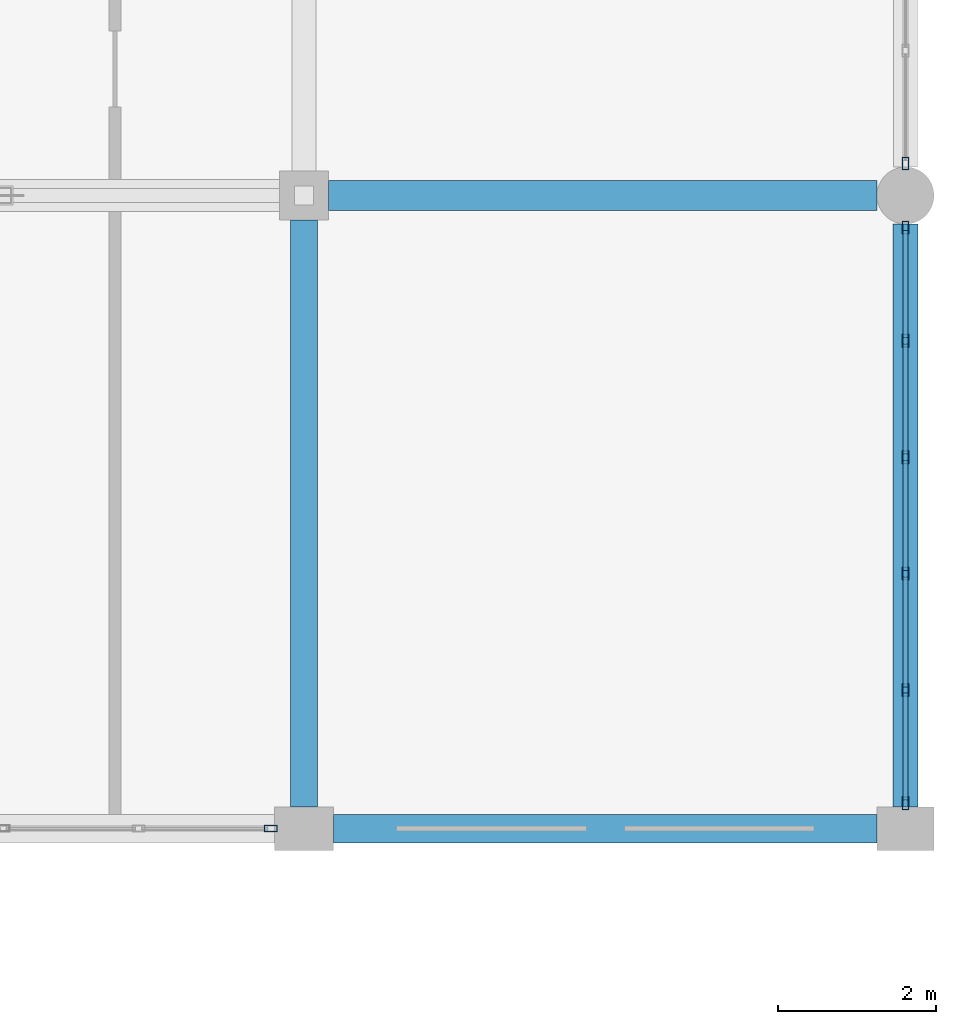
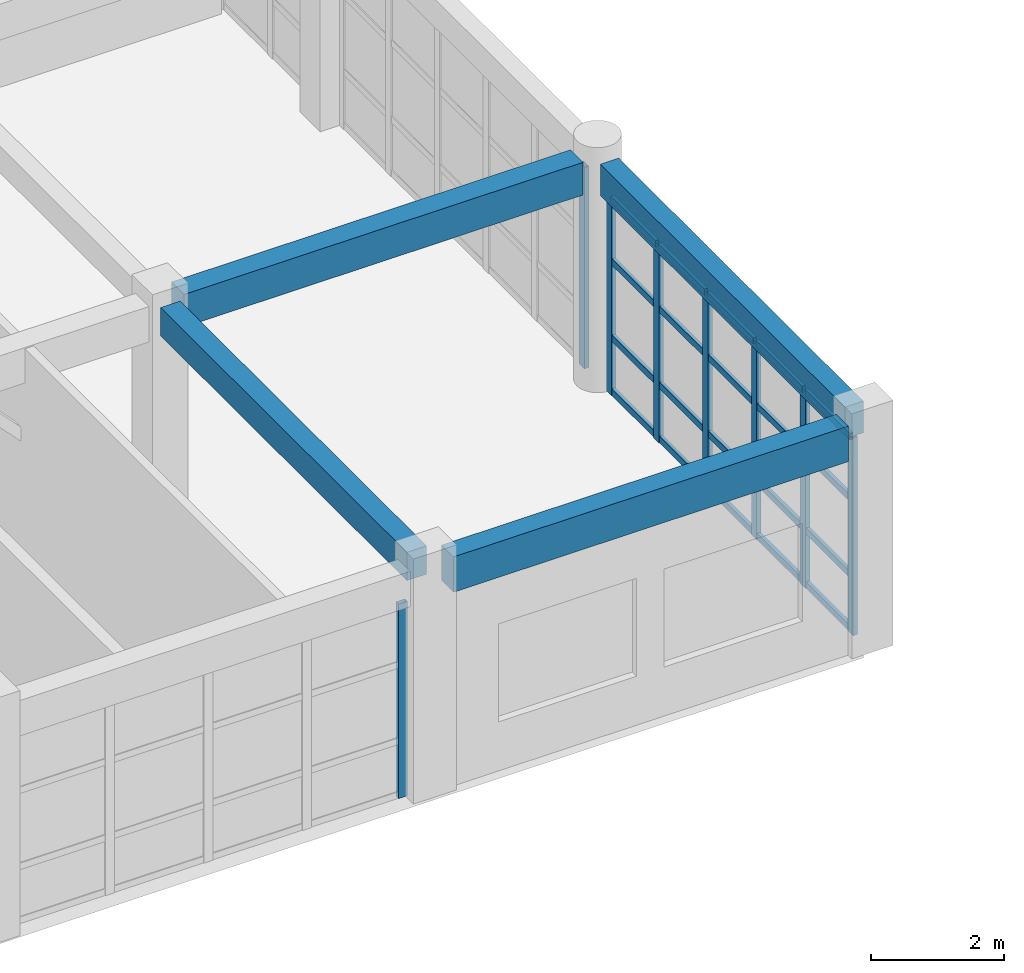
# One storey, part 94 of 160: 28 members, 4 beams, 3 elements without a shape of their own.
"""IFC4 building model written with IfcOpenShell, lengths in metres."""

import ifcopenshell
import ifcopenshell.guid

model = None  # the IFC model being written
_history = None  # IfcOwnerHistory: only IFC2X3 demands one
_inside = {}  # id of a spatial element -> (the spatial element, [elements in it])
_under = {}  # id of a project, library or spatial element -> (it, [spatial elements below it])
_declared = {}  # id of a project -> (the project, [libraries it declares])
_typed = {}  # id of a type object -> (the type object, [elements of that type])
_made_of = {}  # id of a material, layer set ... -> (it, [elements and type objects made of it])


def new_model(schema):
    """Start an empty IFC model of exactly this schema.

    Asked for "IFC4X3", IfcOpenShell would pick the latest addendum, in which some entities
    have other attributes; the version numbers below select the first issue.
    IFC2X3 requires an IfcOwnerHistory on every rooted entity: one is made here for all.
    """
    global model, _history
    if schema == "IFC4X3":
        model = ifcopenshell.file(schema_version=(4, 3, 0, 0))
    else:
        model = ifcopenshell.file(schema=schema)
    _inside.clear()
    _under.clear()
    _declared.clear()
    _typed.clear()
    _made_of.clear()
    _history = None
    if model.schema == "IFC2X3":
        org = make("IfcOrganization", Name="unknown")
        user = make(
            "IfcPersonAndOrganization",
            ThePerson=make("IfcPerson", FamilyName="unknown"),
            TheOrganization=org,
        )
        app = make(
            "IfcApplication",
            ApplicationDeveloper=org,
            Version="unknown",
            ApplicationFullName="unknown",
            ApplicationIdentifier="unknown",
        )
        _history = make(
            "IfcOwnerHistory",
            OwningUser=user,
            OwningApplication=app,
            ChangeAction="ADDED",
            CreationDate=0,
        )
    return model


def make(cls, **values):
    """One entity of the class cls with the attributes given. An attribute that is None is left unset."""
    return model.create_entity(
        cls, **{name: value for name, value in values.items() if value is not None}
    )


def rooted(cls, **values):
    """An entity with a GlobalId (a new one), such as an element, a storey or a relation."""
    return make(cls, GlobalId=ifcopenshell.guid.new(), OwnerHistory=_history, **values)


def si_unit(unit_type, name, prefix=None):
    """IfcSIUnit, for example si_unit("LENGTHUNIT", "METRE", prefix="MILLI")."""
    return make("IfcSIUnit", UnitType=unit_type, Prefix=prefix, Name=name)


def assignment(units):
    """IfcUnitAssignment: the units of a project."""
    return None if units is None else make("IfcUnitAssignment", Units=units)


def point(xyz):
    """IfcCartesianPoint."""
    return None if xyz is None else make("IfcCartesianPoint", Coordinates=xyz)


def direction(xyz):
    """IfcDirection."""
    return None if xyz is None else make("IfcDirection", DirectionRatios=xyz)


def frame(location, z_axis=None, x_axis=None):
    """IfcAxis2Placement3D, a coordinate frame: its origin and axes. An axis left out is left unset."""
    return make(
        "IfcAxis2Placement3D",
        Location=point(location),
        Axis=direction(z_axis),
        RefDirection=direction(x_axis),
    )


def frame_2d(location, x_axis=None):
    """IfcAxis2Placement2D, a coordinate frame in the plane: its origin and x axis."""
    return make(
        "IfcAxis2Placement2D", Location=point(location), RefDirection=direction(x_axis)
    )


def origin():
    """The frame at (0, 0, 0) with its axes left unset."""
    return frame((0.0, 0.0, 0.0))


def origin_2d():
    """The frame at (0, 0) in the plane with its x axis left unset."""
    return frame_2d((0.0, 0.0))


def place(relative_to, where):
    """IfcLocalPlacement: puts the frame where relative to a parent placement (None: the world)."""
    return make(
        "IfcLocalPlacement", PlacementRelTo=relative_to, RelativePlacement=where
    )


def context(
    kind, dimensions, precision=None, world=None, true_north=None, identifier=None
):
    """IfcGeometricRepresentationContext, for example the 3D "Model" context."""
    return make(
        "IfcGeometricRepresentationContext",
        ContextIdentifier=identifier,
        ContextType=kind,
        CoordinateSpaceDimension=dimensions,
        Precision=precision,
        WorldCoordinateSystem=world,
        TrueNorth=true_north,
    )


def subcontext(parent, identifier, kind, view, scale=None):
    """IfcGeometricRepresentationSubContext, for example "Body" below "Model"."""
    return make(
        "IfcGeometricRepresentationSubContext",
        ContextIdentifier=identifier,
        ContextType=kind,
        ParentContext=parent,
        TargetScale=scale,
        TargetView=view,
    )


def project(units=None, contexts=None):
    """IfcProject with its units and contexts."""
    return rooted(
        "IfcProject",
        Name="project",
        RepresentationContexts=contexts,
        UnitsInContext=assignment(units),
    )


def spatial(cls, under=None, at=None, **own):
    """A site, building, storey or space (cls), placed at a placement, below another one or the project."""
    s = rooted(cls, ObjectPlacement=at, **own)
    if under is not None:
        _under.setdefault(under.id(), (under, []))[1].append(s)
    return s


def profile(cls, at=None, kind="AREA", **sizes):
    """A parametric profile (cls). Its sizes go by their IFC names, for example OverallWidth=200.0."""
    return make(cls, ProfileType=kind, Position=at, **sizes)


def rectangle(**sizes):
    """IfcRectangleProfileDef."""
    return profile("IfcRectangleProfileDef", **sizes)


def hollow_rectangle(**sizes):
    """IfcRectangleHollowProfileDef."""
    return profile("IfcRectangleHollowProfileDef", **sizes)


def extrude(swept, where, along, depth):
    """IfcExtrudedAreaSolid: the profile swept, set in the frame where, extruded along a direction by depth."""
    return make(
        "IfcExtrudedAreaSolid",
        SweptArea=swept,
        Position=where,
        ExtrudedDirection=direction(along),
        Depth=depth,
    )


def shape(context_of_items, identifier, shape_type, items):
    """IfcShapeRepresentation: the items that make up one representation, for example the "Body"."""
    return make(
        "IfcShapeRepresentation",
        ContextOfItems=context_of_items,
        RepresentationIdentifier=identifier,
        RepresentationType=shape_type,
        Items=items,
    )


def material(Name=None, Category=None):
    """IfcMaterial."""
    return make("IfcMaterial", Name=Name, Category=Category)


def material_profile(
    of_material, cross_section, Name=None, Category=None, Priority=None
):
    """IfcMaterialProfile: a cross section and its material."""
    return make(
        "IfcMaterialProfile",
        Name=Name,
        Material=of_material,
        Profile=cross_section,
        Priority=Priority,
        Category=Category,
    )


def profile_set(profiles, Name=None, composite=None):
    """IfcMaterialProfileSet."""
    return make(
        "IfcMaterialProfileSet",
        Name=Name,
        MaterialProfiles=profiles,
        CompositeProfile=composite,
    )


def made_of(thing, what):
    """Note that an element or type object is made of a material, layer set ...; save() writes the relation."""
    if what is not None:
        _made_of.setdefault(what.id(), (what, []))[1].append(thing)
    return thing


def type_object(cls, material=None, **own):
    """A type object (cls), such as IfcWallType, which elements share."""
    return made_of(rooted(cls, **own), material)


def element(
    cls,
    number,
    at=None,
    inside=None,
    cuts=None,
    type_object=None,
    material=None,
    context=None,
    identifier="Body",
    shape_type=None,
    held_by="IfcProductDefinitionShape",
    body=None,
    shapes=None,
    **own,
):
    """One element of the class cls, such as IfcWall. Its Tag is "e" and its number.

    at: its placement. inside: the storey or other place that contains it. cuts: it is an
    opening in that element (IfcRelVoidsElement). A single representation is given by context,
    identifier, shape_type and body (its items); several are given by shapes. held_by: the class
    of the entity that holds the representations. save() writes the other relations.
    """
    e = rooted(cls, Tag="e%d" % number, ObjectPlacement=at, **own)
    if body is not None:
        shapes = [shape(context, identifier, shape_type, body)]
    if shapes is not None:
        e.Representation = make(held_by, Representations=shapes)
    if inside is not None:
        _inside.setdefault(inside.id(), (inside, []))[1].append(e)
    if cuts is not None:
        rooted(
            "IfcRelVoidsElement", RelatingBuildingElement=cuts, RelatedOpeningElement=e
        )
    if type_object is not None:
        _typed.setdefault(type_object.id(), (type_object, []))[1].append(e)
    return made_of(e, material)


def aggregate(whole, parts):
    """IfcRelAggregates: a whole, such as a stair, and the parts it consists of."""
    return rooted("IfcRelAggregates", RelatingObject=whole, RelatedObjects=parts)


def save(model, path):
    """Write the relations noted so far, then the file.

    IfcRelAggregates (storeys below a building ...), IfcRelContainedInSpatialStructure (elements
    in a storey), IfcRelDefinesByType, IfcRelAssociatesMaterial and IfcRelDeclares: one each for
    every whole, place, type object, material and project.
    """
    for whole, parts in _under.values():
        aggregate(whole, parts)
    for where, things in _inside.values():
        rooted(
            "IfcRelContainedInSpatialStructure",
            RelatedElements=things,
            RelatingStructure=where,
        )
    for kind, things in _typed.values():
        rooted("IfcRelDefinesByType", RelatedObjects=things, RelatingType=kind)
    for what, things in _made_of.values():
        rooted("IfcRelAssociatesMaterial", RelatedObjects=things, RelatingMaterial=what)
    for by, libraries in _declared.values():
        rooted("IfcRelDeclares", RelatingContext=by, RelatedDefinitions=libraries)
    model.write(path)


model = new_model("IFC4")

# Units and contexts
model_context = context("Model", 3, precision=1e-05, world=origin(), true_north=direction((0.0, 1.0)))
body_context = subcontext(model_context, "Body", "Model", "MODEL_VIEW")
ifc_project = project(units=[si_unit("LENGTHUNIT", "METRE"), si_unit("AREAUNIT", "SQUARE_METRE"), si_unit("VOLUMEUNIT", "CUBIC_METRE"), si_unit("PLANEANGLEUNIT", "RADIAN"), si_unit("MASSUNIT", "GRAM", prefix="KILO")], contexts=[model_context])

# Site, building, storey
site_placement = place(None, origin())
site = spatial("IfcSite", under=ifc_project, at=site_placement, CompositionType="ELEMENT")
building_placement = place(site_placement, origin())
building = spatial("IfcBuilding", under=site, at=building_placement, Name="Kharva Crest Polytechnic", CompositionType="ELEMENT")
storey_placement = place(building_placement, frame((0.0, 0.0, 4.5)))
storey = spatial("IfcBuildingStorey", under=building, at=storey_placement, Name="L01", CompositionType="ELEMENT", Elevation=4.5)

# Beams
ifc_material_1 = material(Name="Concrete C35/45", Category="concrete")
ifc_material_profile_1 = material_profile(ifc_material_1, rectangle(XDim=0.340087890625, YDim=0.52001953125, at=origin_2d()), Name="RECT 340 X 520")
ifc_profile_set_1 = profile_set([ifc_material_profile_1], Name="Concrete C35/45")
beam_type_1 = type_object("IfcBeamType", Name="BM-RC-340X520", PredefinedType="BEAM", material=ifc_profile_set_1)
beam_1_placement = place(storey_placement, frame((176.39990234375, 39.074951171875, 3.9599609375), z_axis=(0.0, 1.0, 0.0), x_axis=(-1.0, 0.0, 0.0)))
element("IfcBeam", 1, at=beam_1_placement, inside=storey, type_object=beam_type_1, Name="L01 Girder 23/FJ-G", PredefinedType="BEAM", context=body_context, shape_type="SweptSolid", body=[
    extrude(rectangle(XDim=0.340087890625, YDim=0.52001953125, at=origin_2d()), origin(), (0.0, 0.0, 1.0), 7.4150390625),
])
ifc_material_profile_2 = material_profile(ifc_material_1, rectangle(XDim=0.3798828125, YDim=0.60009765625, at=origin_2d()), Name="RECT 380 X 600")
ifc_profile_set_2 = profile_set([ifc_material_profile_2], Name="Concrete C35/45")
beam_type_2 = type_object("IfcBeamType", Name="BM-RC-380X600", PredefinedType="BEAM", material=ifc_profile_set_2)
beam_2_placement = place(storey_placement, frame((176.7099609375, 46.800048828125, 3.919921875), z_axis=(1.0, 0.0, 0.0), x_axis=(0.0, 1.0, 0.0)))
element("IfcBeam", 2, at=beam_2_placement, inside=storey, type_object=beam_type_2, Name="L01 Beam G/23-24", PredefinedType="BEAM", context=body_context, shape_type="SweptSolid", body=[
    extrude(rectangle(XDim=0.3798828125, YDim=0.60009765625, at=origin_2d()), origin(), (0.0, 0.0, 1.0), 6.929931640625),
])

# Curtain wall, member
ifc_material_2 = material(Name="Tempered insulated glass", Category="glass")
curtain_wall_type = type_object("IfcCurtainWallType", Name="CW-SYS-COURT", PredefinedType="USERDEFINED", material=ifc_material_2)
curtain_wall_1_placement = place(storey_placement, origin())
curtain_wall_1 = element("IfcCurtainWall", 3, at=curtain_wall_1_placement, inside=storey, type_object=curtain_wall_type, Name="L01 Glazed Curtain Wall CW-057", ObjectType="CURTAIN WALL", PredefinedType="USERDEFINED")
ifc_material_3 = material(Name="Steel S355", Category="steel")
ifc_material_profile_3 = material_profile(ifc_material_3, hollow_rectangle(XDim=0.080078125, YDim=0.159912109375, WallThickness=0.0048828125, at=origin_2d()), Name="RHS 160X80X5.0")
ifc_profile_set_3 = profile_set([ifc_material_profile_3], Name="Steel S355")
member_type_1 = type_object("IfcMemberType", Name="CWM-RHS160X80", PredefinedType="MULLION", material=ifc_profile_set_3)
member_1_placement = place(storey_placement, frame((175.97998046875, 38.800048828125, 0.0), z_axis=(0.0, 0.0, 1.0), x_axis=(0.0, 1.0, 0.0)))
member_1 = element("IfcMember", 4, at=member_1_placement, type_object=member_type_1, Name="CW-057 mullion 5", PredefinedType="MULLION", context=body_context, shape_type="SweptSolid", body=[
    extrude(hollow_rectangle(XDim=0.080078125, YDim=0.159912109375, WallThickness=0.0048828125, at=origin_2d()), origin(), (0.0, 0.0, 1.0), 3.570068359375),
])
aggregate(curtain_wall_1, [member_1])

# Curtain wall, members
curtain_wall_2_placement = place(storey_placement, origin())
curtain_wall_2 = element("IfcCurtainWall", 5, at=curtain_wall_2_placement, inside=storey, type_object=curtain_wall_type, Name="L01 Glazed Curtain Wall CW-058", ObjectType="CURTAIN WALL", PredefinedType="USERDEFINED")
member_2_placement = place(storey_placement, frame((184.0, 39.1201171875, 0.0), z_axis=(0.0, 0.0, 1.0), x_axis=(-1.0, 0.0, 0.0)))
member_2 = element("IfcMember", 6, at=member_2_placement, type_object=member_type_1, Name="CW-058 mullion 1", PredefinedType="MULLION", context=body_context, shape_type="SweptSolid", body=[
    extrude(hollow_rectangle(XDim=0.080078125, YDim=0.159912109375, WallThickness=0.0048828125, at=origin_2d()), origin(), (0.0, 0.0, 1.0), 3.639892578125),
])
member_3_placement = place(storey_placement, frame((184.0, 40.551025390625, 0.0), z_axis=(0.0, 0.0, 1.0), x_axis=(-1.0, 0.0, 0.0)))
member_3 = element("IfcMember", 7, at=member_3_placement, type_object=member_type_1, Name="CW-058 mullion 2", PredefinedType="MULLION", context=body_context, shape_type="SweptSolid", body=[
    extrude(hollow_rectangle(XDim=0.080078125, YDim=0.159912109375, WallThickness=0.0048828125, at=origin_2d()), origin(), (0.0, 0.0, 1.0), 3.639892578125),
])
member_4_placement = place(storey_placement, frame((184.0, 42.02197265625, 0.0), z_axis=(0.0, 0.0, 1.0), x_axis=(-1.0, 0.0, 0.0)))
member_4 = element("IfcMember", 8, at=member_4_placement, type_object=member_type_1, Name="CW-058 mullion 3", PredefinedType="MULLION", context=body_context, shape_type="SweptSolid", body=[
    extrude(hollow_rectangle(XDim=0.080078125, YDim=0.159912109375, WallThickness=0.0048828125, at=origin_2d()), origin(), (0.0, 0.0, 1.0), 3.639892578125),
])
member_5_placement = place(storey_placement, frame((184.0, 43.492919921875, 0.0), z_axis=(0.0, 0.0, 1.0), x_axis=(-1.0, 0.0, 0.0)))
member_5 = element("IfcMember", 9, at=member_5_placement, type_object=member_type_1, Name="CW-058 mullion 4", PredefinedType="MULLION", context=body_context, shape_type="SweptSolid", body=[
    extrude(hollow_rectangle(XDim=0.080078125, YDim=0.159912109375, WallThickness=0.0048828125, at=origin_2d()), origin(), (0.0, 0.0, 1.0), 3.639892578125),
])
member_6_placement = place(storey_placement, frame((184.0, 44.964111328125, 0.0), z_axis=(0.0, 0.0, 1.0), x_axis=(-1.0, 0.0, 0.0)))
member_6 = element("IfcMember", 10, at=member_6_placement, type_object=member_type_1, Name="CW-058 mullion 5", PredefinedType="MULLION", context=body_context, shape_type="SweptSolid", body=[
    extrude(hollow_rectangle(XDim=0.080078125, YDim=0.159912109375, WallThickness=0.0048828125, at=origin_2d()), origin(), (0.0, 0.0, 1.0), 3.639892578125),
])
member_7_placement = place(storey_placement, frame((184.0, 46.39501953125, 0.0), z_axis=(0.0, 0.0, 1.0), x_axis=(-1.0, 0.0, 0.0)))
member_7 = element("IfcMember", 11, at=member_7_placement, type_object=member_type_1, Name="CW-058 mullion 6", PredefinedType="MULLION", context=body_context, shape_type="SweptSolid", body=[
    extrude(hollow_rectangle(XDim=0.080078125, YDim=0.159912109375, WallThickness=0.0048828125, at=origin_2d()), origin(), (0.0, 0.0, 1.0), 3.639892578125),
])

# Curtain wall, member
curtain_wall_3_placement = place(storey_placement, origin())
curtain_wall_3 = element("IfcCurtainWall", 12, at=curtain_wall_3_placement, inside=storey, type_object=curtain_wall_type, Name="L01 Glazed Curtain Wall CW-059", ObjectType="CURTAIN WALL", PredefinedType="USERDEFINED")
member_8_placement = place(storey_placement, frame((184.0, 47.205078125, 0.0), z_axis=(0.0, 0.0, 1.0), x_axis=(-1.0, 0.0, 0.0)))
member_8 = element("IfcMember", 13, at=member_8_placement, type_object=member_type_1, Name="CW-059 mullion 1", PredefinedType="MULLION", context=body_context, shape_type="SweptSolid", body=[
    extrude(hollow_rectangle(XDim=0.080078125, YDim=0.159912109375, WallThickness=0.0048828125, at=origin_2d()), origin(), (0.0, 0.0, 1.0), 3.699951171875),
])
aggregate(curtain_wall_3, [member_8])

# Member
ifc_material_profile_4 = material_profile(ifc_material_3, hollow_rectangle(XDim=0.06005859375, YDim=0.1201171875, WallThickness=0.00390625, at=origin_2d()), Name="RHS 120X60X4.0")
ifc_profile_set_4 = profile_set([ifc_material_profile_4], Name="Steel S355")
member_type_2 = type_object("IfcMemberType", Name="CWT-RHS120X60", PredefinedType="USERDEFINED", material=ifc_profile_set_4)
member_9_placement = place(storey_placement, frame((184.0, 39.159912109375, 0.06005859375), z_axis=(0.0, 1.0, 0.0), x_axis=(-1.0, 0.0, 0.0)))
member_9 = element("IfcMember", 14, at=member_9_placement, type_object=member_type_2, Name="CW-058 transom 1.1", ObjectType="TRANSOM", PredefinedType="USERDEFINED", context=body_context, shape_type="SweptSolid", body=[
    extrude(hollow_rectangle(XDim=0.06005859375, YDim=0.1201171875, WallThickness=0.00390625, at=origin_2d()), origin(), (0.0, 0.0, 1.0), 1.35107421875),
])

member_10_placement = place(storey_placement, frame((184.0, 39.159912109375, 1.050048828125), z_axis=(0.0, 1.0, 0.0), x_axis=(-1.0, 0.0, 0.0)))
member_10 = element("IfcMember", 15, at=member_10_placement, type_object=member_type_2, Name="CW-058 transom 1.2", ObjectType="TRANSOM", PredefinedType="USERDEFINED", context=body_context, shape_type="SweptSolid", body=[
    extrude(hollow_rectangle(XDim=0.06005859375, YDim=0.1201171875, WallThickness=0.00390625, at=origin_2d()), origin(), (0.0, 0.0, 1.0), 1.35107421875),
])

member_11_placement = place(storey_placement, frame((184.0, 39.159912109375, 2.449951171875), z_axis=(0.0, 1.0, 0.0), x_axis=(-1.0, 0.0, 0.0)))
member_11 = element("IfcMember", 16, at=member_11_placement, type_object=member_type_2, Name="CW-058 transom 1.3", ObjectType="TRANSOM", PredefinedType="USERDEFINED", context=body_context, shape_type="SweptSolid", body=[
    extrude(hollow_rectangle(XDim=0.06005859375, YDim=0.1201171875, WallThickness=0.00390625, at=origin_2d()), origin(), (0.0, 0.0, 1.0), 1.35107421875),
])

member_12_placement = place(storey_placement, frame((184.0, 39.159912109375, 3.580078125), z_axis=(0.0, 1.0, 0.0), x_axis=(-1.0, 0.0, 0.0)))
member_12 = element("IfcMember", 17, at=member_12_placement, type_object=member_type_2, Name="CW-058 transom 1.4", ObjectType="TRANSOM", PredefinedType="USERDEFINED", context=body_context, shape_type="SweptSolid", body=[
    extrude(hollow_rectangle(XDim=0.06005859375, YDim=0.1201171875, WallThickness=0.00390625, at=origin_2d()), origin(), (0.0, 0.0, 1.0), 1.35107421875),
])

member_13_placement = place(storey_placement, frame((184.0, 40.591064453125, 0.06005859375), z_axis=(0.0, 1.0, 0.0), x_axis=(-1.0, 0.0, 0.0)))
member_13 = element("IfcMember", 18, at=member_13_placement, type_object=member_type_2, Name="CW-058 transom 2.1", ObjectType="TRANSOM", PredefinedType="USERDEFINED", context=body_context, shape_type="SweptSolid", body=[
    extrude(hollow_rectangle(XDim=0.06005859375, YDim=0.1201171875, WallThickness=0.00390625, at=origin_2d()), origin(), (0.0, 0.0, 1.0), 1.390869140625),
])

member_14_placement = place(storey_placement, frame((184.0, 40.591064453125, 1.050048828125), z_axis=(0.0, 1.0, 0.0), x_axis=(-1.0, 0.0, 0.0)))
member_14 = element("IfcMember", 19, at=member_14_placement, type_object=member_type_2, Name="CW-058 transom 2.2", ObjectType="TRANSOM", PredefinedType="USERDEFINED", context=body_context, shape_type="SweptSolid", body=[
    extrude(hollow_rectangle(XDim=0.06005859375, YDim=0.1201171875, WallThickness=0.00390625, at=origin_2d()), origin(), (0.0, 0.0, 1.0), 1.390869140625),
])

member_15_placement = place(storey_placement, frame((184.0, 40.591064453125, 2.449951171875), z_axis=(0.0, 1.0, 0.0), x_axis=(-1.0, 0.0, 0.0)))
member_15 = element("IfcMember", 20, at=member_15_placement, type_object=member_type_2, Name="CW-058 transom 2.3", ObjectType="TRANSOM", PredefinedType="USERDEFINED", context=body_context, shape_type="SweptSolid", body=[
    extrude(hollow_rectangle(XDim=0.06005859375, YDim=0.1201171875, WallThickness=0.00390625, at=origin_2d()), origin(), (0.0, 0.0, 1.0), 1.390869140625),
])

member_16_placement = place(storey_placement, frame((184.0, 40.591064453125, 3.580078125), z_axis=(0.0, 1.0, 0.0), x_axis=(-1.0, 0.0, 0.0)))
member_16 = element("IfcMember", 21, at=member_16_placement, type_object=member_type_2, Name="CW-058 transom 2.4", ObjectType="TRANSOM", PredefinedType="USERDEFINED", context=body_context, shape_type="SweptSolid", body=[
    extrude(hollow_rectangle(XDim=0.06005859375, YDim=0.1201171875, WallThickness=0.00390625, at=origin_2d()), origin(), (0.0, 0.0, 1.0), 1.390869140625),
])

member_17_placement = place(storey_placement, frame((184.0, 42.06201171875, 0.06005859375), z_axis=(0.0, 1.0, 0.0), x_axis=(-1.0, 0.0, 0.0)))
member_17 = element("IfcMember", 22, at=member_17_placement, type_object=member_type_2, Name="CW-058 transom 3.1", ObjectType="TRANSOM", PredefinedType="USERDEFINED", context=body_context, shape_type="SweptSolid", body=[
    extrude(hollow_rectangle(XDim=0.06005859375, YDim=0.1201171875, WallThickness=0.00390625, at=origin_2d()), origin(), (0.0, 0.0, 1.0), 1.390869140625),
])

member_18_placement = place(storey_placement, frame((184.0, 42.06201171875, 1.050048828125), z_axis=(0.0, 1.0, 0.0), x_axis=(-1.0, 0.0, 0.0)))
member_18 = element("IfcMember", 23, at=member_18_placement, type_object=member_type_2, Name="CW-058 transom 3.2", ObjectType="TRANSOM", PredefinedType="USERDEFINED", context=body_context, shape_type="SweptSolid", body=[
    extrude(hollow_rectangle(XDim=0.06005859375, YDim=0.1201171875, WallThickness=0.00390625, at=origin_2d()), origin(), (0.0, 0.0, 1.0), 1.390869140625),
])

member_19_placement = place(storey_placement, frame((184.0, 42.06201171875, 2.449951171875), z_axis=(0.0, 1.0, 0.0), x_axis=(-1.0, 0.0, 0.0)))
member_19 = element("IfcMember", 24, at=member_19_placement, type_object=member_type_2, Name="CW-058 transom 3.3", ObjectType="TRANSOM", PredefinedType="USERDEFINED", context=body_context, shape_type="SweptSolid", body=[
    extrude(hollow_rectangle(XDim=0.06005859375, YDim=0.1201171875, WallThickness=0.00390625, at=origin_2d()), origin(), (0.0, 0.0, 1.0), 1.390869140625),
])

member_20_placement = place(storey_placement, frame((184.0, 42.06201171875, 3.580078125), z_axis=(0.0, 1.0, 0.0), x_axis=(-1.0, 0.0, 0.0)))
member_20 = element("IfcMember", 25, at=member_20_placement, type_object=member_type_2, Name="CW-058 transom 3.4", ObjectType="TRANSOM", PredefinedType="USERDEFINED", context=body_context, shape_type="SweptSolid", body=[
    extrude(hollow_rectangle(XDim=0.06005859375, YDim=0.1201171875, WallThickness=0.00390625, at=origin_2d()), origin(), (0.0, 0.0, 1.0), 1.390869140625),
])

member_21_placement = place(storey_placement, frame((184.0, 43.532958984375, 0.06005859375), z_axis=(0.0, 1.0, 0.0), x_axis=(-1.0, 0.0, 0.0)))
member_21 = element("IfcMember", 26, at=member_21_placement, type_object=member_type_2, Name="CW-058 transom 4.1", ObjectType="TRANSOM", PredefinedType="USERDEFINED", context=body_context, shape_type="SweptSolid", body=[
    extrude(hollow_rectangle(XDim=0.06005859375, YDim=0.1201171875, WallThickness=0.00390625, at=origin_2d()), origin(), (0.0, 0.0, 1.0), 1.39111328125),
])

member_22_placement = place(storey_placement, frame((184.0, 43.532958984375, 1.050048828125), z_axis=(0.0, 1.0, 0.0), x_axis=(-1.0, 0.0, 0.0)))
member_22 = element("IfcMember", 27, at=member_22_placement, type_object=member_type_2, Name="CW-058 transom 4.2", ObjectType="TRANSOM", PredefinedType="USERDEFINED", context=body_context, shape_type="SweptSolid", body=[
    extrude(hollow_rectangle(XDim=0.06005859375, YDim=0.1201171875, WallThickness=0.00390625, at=origin_2d()), origin(), (0.0, 0.0, 1.0), 1.39111328125),
])

member_23_placement = place(storey_placement, frame((184.0, 43.532958984375, 2.449951171875), z_axis=(0.0, 1.0, 0.0), x_axis=(-1.0, 0.0, 0.0)))
member_23 = element("IfcMember", 28, at=member_23_placement, type_object=member_type_2, Name="CW-058 transom 4.3", ObjectType="TRANSOM", PredefinedType="USERDEFINED", context=body_context, shape_type="SweptSolid", body=[
    extrude(hollow_rectangle(XDim=0.06005859375, YDim=0.1201171875, WallThickness=0.00390625, at=origin_2d()), origin(), (0.0, 0.0, 1.0), 1.39111328125),
])

member_24_placement = place(storey_placement, frame((184.0, 43.532958984375, 3.580078125), z_axis=(0.0, 1.0, 0.0), x_axis=(-1.0, 0.0, 0.0)))
member_24 = element("IfcMember", 29, at=member_24_placement, type_object=member_type_2, Name="CW-058 transom 4.4", ObjectType="TRANSOM", PredefinedType="USERDEFINED", context=body_context, shape_type="SweptSolid", body=[
    extrude(hollow_rectangle(XDim=0.06005859375, YDim=0.1201171875, WallThickness=0.00390625, at=origin_2d()), origin(), (0.0, 0.0, 1.0), 1.39111328125),
])

member_25_placement = place(storey_placement, frame((184.0, 45.00390625, 0.06005859375), z_axis=(0.0, 1.0, 0.0), x_axis=(-1.0, 0.0, 0.0)))
member_25 = element("IfcMember", 30, at=member_25_placement, type_object=member_type_2, Name="CW-058 transom 5.1", ObjectType="TRANSOM", PredefinedType="USERDEFINED", context=body_context, shape_type="SweptSolid", body=[
    extrude(hollow_rectangle(XDim=0.06005859375, YDim=0.1201171875, WallThickness=0.00390625, at=origin_2d()), origin(), (0.0, 0.0, 1.0), 1.35107421875),
])

member_26_placement = place(storey_placement, frame((184.0, 45.00390625, 1.050048828125), z_axis=(0.0, 1.0, 0.0), x_axis=(-1.0, 0.0, 0.0)))
member_26 = element("IfcMember", 31, at=member_26_placement, type_object=member_type_2, Name="CW-058 transom 5.2", ObjectType="TRANSOM", PredefinedType="USERDEFINED", context=body_context, shape_type="SweptSolid", body=[
    extrude(hollow_rectangle(XDim=0.06005859375, YDim=0.1201171875, WallThickness=0.00390625, at=origin_2d()), origin(), (0.0, 0.0, 1.0), 1.35107421875),
])

member_27_placement = place(storey_placement, frame((184.0, 45.00390625, 2.449951171875), z_axis=(0.0, 1.0, 0.0), x_axis=(-1.0, 0.0, 0.0)))
member_27 = element("IfcMember", 32, at=member_27_placement, type_object=member_type_2, Name="CW-058 transom 5.3", ObjectType="TRANSOM", PredefinedType="USERDEFINED", context=body_context, shape_type="SweptSolid", body=[
    extrude(hollow_rectangle(XDim=0.06005859375, YDim=0.1201171875, WallThickness=0.00390625, at=origin_2d()), origin(), (0.0, 0.0, 1.0), 1.35107421875),
])

member_28_placement = place(storey_placement, frame((184.0, 45.00390625, 3.580078125), z_axis=(0.0, 1.0, 0.0), x_axis=(-1.0, 0.0, 0.0)))
member_28 = element("IfcMember", 33, at=member_28_placement, type_object=member_type_2, Name="CW-058 transom 5.4", ObjectType="TRANSOM", PredefinedType="USERDEFINED", context=body_context, shape_type="SweptSolid", body=[
    extrude(hollow_rectangle(XDim=0.06005859375, YDim=0.1201171875, WallThickness=0.00390625, at=origin_2d()), origin(), (0.0, 0.0, 1.0), 1.35107421875),
])

aggregate(curtain_wall_2, [member_2, member_3, member_4, member_5, member_6, member_7, member_9, member_10, member_11, member_12, member_13, member_14, member_15, member_16, member_17, member_18, member_19, member_20, member_21, member_22, member_23, member_24, member_25, member_26, member_27, member_28])

# Beams
ifc_material_profile_5 = material_profile(ifc_material_1, rectangle(XDim=0.320068359375, YDim=0.580078125, at=origin_2d()), Name="RECT 320 X 580")
ifc_profile_set_5 = profile_set([ifc_material_profile_5], Name="Concrete C35/45")
beam_type_3 = type_object("IfcBeamType", Name="SP-RC-320X580", PredefinedType="SPANDREL", material=ifc_profile_set_5)
beam_3_placement = place(storey_placement, frame((184.0, 39.074951171875, 3.929931640625), z_axis=(0.0, 1.0, 0.0), x_axis=(-1.0, 0.0, 0.0)))
element("IfcBeam", 34, at=beam_3_placement, inside=storey, type_object=beam_type_3, Name="L01 Girder 24/FJ-G", PredefinedType="SPANDREL", context=body_context, shape_type="SweptSolid", body=[
    extrude(rectangle(XDim=0.320068359375, YDim=0.580078125, at=origin_2d()), origin(), (0.0, 0.0, 1.0), 7.364990234375),
])
ifc_material_profile_6 = material_profile(ifc_material_1, rectangle(XDim=0.360107421875, YDim=0.64990234375, at=origin_2d()), Name="RECT 360 X 650")
ifc_profile_set_6 = profile_set([ifc_material_profile_6], Name="Concrete C35/45")
beam_type_4 = type_object("IfcBeamType", Name="SP-RC-360X650", PredefinedType="SPANDREL", material=ifc_profile_set_6)
beam_4_placement = place(storey_placement, frame((176.77490234375, 38.800048828125, 3.89501953125), z_axis=(1.0, 0.0, 0.0), x_axis=(0.0, 1.0, 0.0)))
element("IfcBeam", 35, at=beam_4_placement, inside=storey, type_object=beam_type_4, Name="L01 Beam FJ/23-24", PredefinedType="SPANDREL", context=body_context, shape_type="SweptSolid", body=[
    extrude(rectangle(XDim=0.360107421875, YDim=0.64990234375, at=origin_2d()), origin(), (0.0, 0.0, 1.0), 6.864990234375),
])

save(model, "model.ifc")
